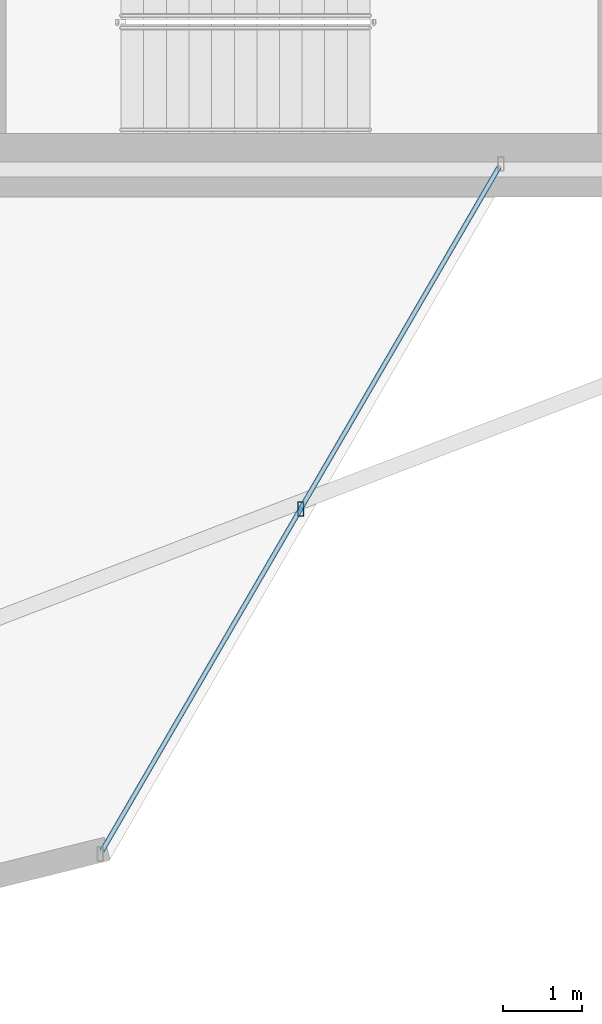
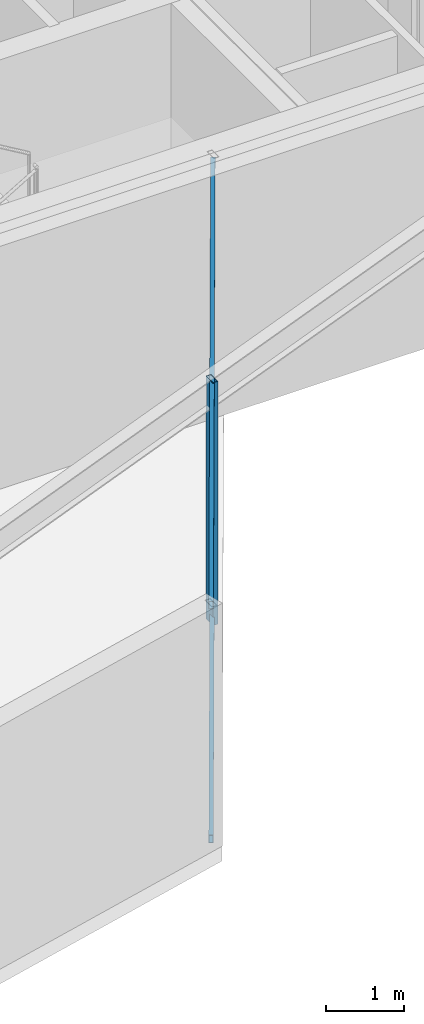
# One storey, part 12 of 25: 3 members, 1 element without a shape of its own.
"""IFC4 building model written with IfcOpenShell, lengths in metres."""

from ifc_helpers import new_model, si_unit, direction, frame, origin, origin_2d, place, context, subcontext, project, spatial, hollow_rectangle, extrude, material, layer, layer_set, material_profile, profile_set, type_object, element, aggregate, save


model = new_model("IFC4")

# Units and contexts
model_context = context("Model", 3, precision=1e-05, world=origin(), true_north=direction((0.0, 1.0)))
body_context = subcontext(model_context, "Body", "Model", "MODEL_VIEW")
ifc_project = project(units=[si_unit("LENGTHUNIT", "METRE"), si_unit("AREAUNIT", "SQUARE_METRE"), si_unit("VOLUMEUNIT", "CUBIC_METRE"), si_unit("PLANEANGLEUNIT", "RADIAN"), si_unit("MASSUNIT", "GRAM", prefix="KILO")], contexts=[model_context])

# Site, building, storey
site_placement = place(None, origin())
site = spatial("IfcSite", under=ifc_project, at=site_placement, CompositionType="ELEMENT")
building_placement = place(site_placement, origin())
building = spatial("IfcBuilding", under=site, at=building_placement, Name="Veymaron Broadcast Tower", CompositionType="ELEMENT")
storey_placement = place(building_placement, frame((0.0, 0.0, 169.5)))
storey = spatial("IfcBuildingStorey", under=building, at=storey_placement, Name="L39", CompositionType="ELEMENT", Elevation=169.5)

# Curtain wall, members
ifc_material_1 = material(Name="Anodised aluminium AA 6063-T6 and laminated low-E dark glass", Category="aluminium")
ifc_layer = layer(ifc_material_1, 0.179931640625)
ifc_layer_set = layer_set([ifc_layer], Name="Anodised aluminium AA 6063-T6 and laminated low-E dark glass")
curtain_wall_type = type_object("IfcCurtainWallType", Name="CW-SYS-03", PredefinedType="NOTDEFINED", material=ifc_layer_set)
curtain_wall_placement = place(storey_placement, origin())
curtain_wall = element("IfcCurtainWall", 1, at=curtain_wall_placement, inside=storey, type_object=curtain_wall_type, Name="L39 dark-glass curtain wall CW-L39-E20-1", PredefinedType="NOTDEFINED")
ifc_material_2 = material(Name="Anodised aluminium AA 6063-T6", Category="aluminium")
ifc_material_profile_1 = material_profile(ifc_material_2, hollow_rectangle(XDim=0.074951171875, YDim=0.179931640625, WallThickness=0.0048828125, at=origin_2d()), Name="AL180X75X5")
ifc_profile_set_1 = profile_set([ifc_material_profile_1], Name="Anodised aluminium AA 6063-T6")
member_type_1 = type_object("IfcMemberType", Name="CW-MUL-02", PredefinedType="MULLION", material=ifc_profile_set_1)
member_1_placement = place(storey_placement, frame((43.690673828125, 11.723388671875, 0.0), z_axis=(0.0, 0.0, 1.0), x_axis=(1.0, 0.0, 0.0)))
member_1 = element("IfcMember", 2, at=member_1_placement, type_object=member_type_1, Name="CW-L39-E20-1 mullion 1", PredefinedType="MULLION", context=body_context, shape_type="SweptSolid", body=[
    extrude(hollow_rectangle(XDim=0.074951171875, YDim=0.179931640625, WallThickness=0.0048828125, at=origin_2d()), origin(), (0.0, 0.0, 1.0), 3.81005859375),
])
ifc_material_profile_2 = material_profile(ifc_material_2, hollow_rectangle(XDim=0.06005859375, YDim=0.1201171875, WallThickness=0.00390625, at=origin_2d()), Name="AL120X60X4")
ifc_profile_set_2 = profile_set([ifc_material_profile_2], Name="Anodised aluminium AA 6063-T6")
member_type_2 = type_object("IfcMemberType", Name="CW-TRN-02", PredefinedType="USERDEFINED", material=ifc_profile_set_2)
member_2_placement = place(storey_placement, frame((41.19189453125, 7.41943359375, 0.070068359375), z_axis=(0.502084034237, 0.864818838003, 0.0), x_axis=(-0.864818838003, 0.502084034237, 0.0)))
member_2 = element("IfcMember", 3, at=member_2_placement, type_object=member_type_2, Name="CW-L39-E20-1 transom B", ObjectType="TRANSOM", PredefinedType="USERDEFINED", context=body_context, shape_type="SweptSolid", body=[
    extrude(hollow_rectangle(XDim=0.06005859375, YDim=0.1201171875, WallThickness=0.00390625, at=origin_2d()), origin(), (0.0, 0.0, 1.0), 9.953125),
])
member_3_placement = place(storey_placement, frame((41.19189453125, 7.41943359375, 3.739990234375), z_axis=(0.502084034237, 0.864818838003, 0.0), x_axis=(-0.864818838003, 0.502084034237, 0.0)))
member_3 = element("IfcMember", 4, at=member_3_placement, type_object=member_type_2, Name="CW-L39-E20-1 transom T", ObjectType="TRANSOM", PredefinedType="USERDEFINED", context=body_context, shape_type="SweptSolid", body=[
    extrude(hollow_rectangle(XDim=0.06005859375, YDim=0.1201171875, WallThickness=0.00390625, at=origin_2d()), origin(), (0.0, 0.0, 1.0), 9.953125),
])
aggregate(curtain_wall, [member_1, member_2, member_3])

save(model, "model.ifc")
